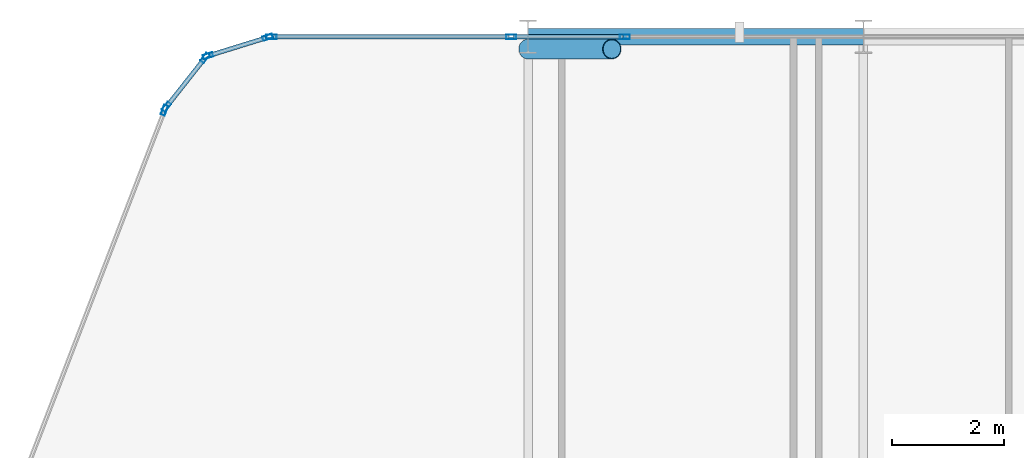
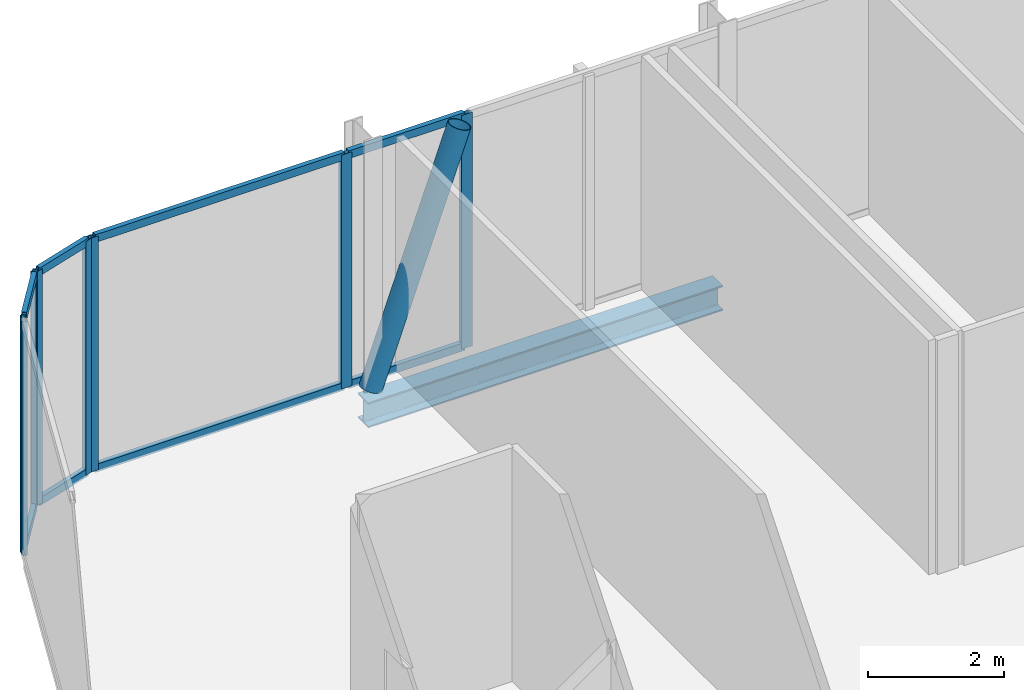
# One storey, part 14 of 30: 17 members, 1 beam, 5 elements without a shape of their own.
"""IFC4 building model written with IfcOpenShell, lengths in metres."""

from ifc_helpers import new_model, si_unit, direction, frame, origin, origin_2d, place, context, subcontext, project, spatial, hollow_rectangle, hollow_circle, i_section, extrude, material, layer, layer_set, material_profile, profile_set, type_object, element, aggregate, save


model = new_model("IFC4")

# Units and contexts
model_context = context("Model", 3, precision=1e-05, world=origin(), true_north=direction((0.0, 1.0)))
body_context = subcontext(model_context, "Body", "Model", "MODEL_VIEW")
ifc_project = project(units=[si_unit("LENGTHUNIT", "METRE"), si_unit("AREAUNIT", "SQUARE_METRE"), si_unit("VOLUMEUNIT", "CUBIC_METRE"), si_unit("PLANEANGLEUNIT", "RADIAN"), si_unit("MASSUNIT", "GRAM", prefix="KILO")], contexts=[model_context])

# Site, building, storey
site_placement = place(None, origin())
site = spatial("IfcSite", under=ifc_project, at=site_placement, CompositionType="ELEMENT")
building_placement = place(site_placement, origin())
building = spatial("IfcBuilding", under=site, at=building_placement, Name="Keshet Zoharim Tower", CompositionType="ELEMENT")
storey_placement = place(building_placement, frame((0.0, 0.0, 86.39990234375)))
storey = spatial("IfcBuildingStorey", under=building, at=storey_placement, Name="L20", CompositionType="ELEMENT", Elevation=86.39990234375)

# Beam
ifc_material_1 = material(Name="Steel S355", Category="steel")
ifc_material_profile_1 = material_profile(ifc_material_1, i_section(OverallWidth=0.300048828125, OverallDepth=0.449951171875, WebThickness=0.013916015625, FlangeThickness=0.02587890625, FilletRadius=0.027099609375, at=origin_2d()), Name="HEB450")
ifc_profile_set_1 = profile_set([ifc_material_profile_1], Name="Steel S355")
beam_type = type_object("IfcBeamType", Name="BM-WEB-HB450", PredefinedType="BEAM", material=ifc_profile_set_1)
beam_placement = place(storey_placement, frame((21.0, 53.89990234375, -0.539794921875), z_axis=(1.0, 0.0, 0.0), x_axis=(0.0, 1.0, 0.0)))
element("IfcBeam", 1, at=beam_placement, inside=storey, type_object=beam_type, Name="L20 Primary Girder X-019", PredefinedType="BEAM", context=body_context, shape_type="SweptSolid", body=[
    extrude(i_section(OverallWidth=0.300048828125, OverallDepth=0.449951171875, WebThickness=0.013916015625, FlangeThickness=0.02587890625, FilletRadius=0.027099609375, at=origin_2d()), origin(), (0.0, 0.0, 1.0), 6.0),
])

# Curtain wall, member
ifc_material_2 = material(Name="Aluminium 6063-T6", Category="aluminium")
ifc_layer = layer(ifc_material_2, 0.159912109375)
ifc_layer_set = layer_set([ifc_layer], Name="Aluminium 6063-T6")
curtain_wall_type = type_object("IfcCurtainWallType", Name="CW-SYS-03", PredefinedType="NOTDEFINED", material=ifc_layer_set)
curtain_wall_1_placement = place(storey_placement, origin())
curtain_wall_1 = element("IfcCurtainWall", 2, at=curtain_wall_1_placement, inside=storey, type_object=curtain_wall_type, Name="L20 Unitised Curtain Wall 10", PredefinedType="NOTDEFINED")
ifc_material_profile_2 = material_profile(ifc_material_2, hollow_rectangle(XDim=0.080078125, YDim=0.179931640625, WallThickness=0.00439453125, at=origin_2d()), Name="MUL-80x180")
ifc_profile_set_2 = profile_set([ifc_material_profile_2], Name="Aluminium 6063-T6")
member_type_1 = type_object("IfcMemberType", Name="CWM-M18", PredefinedType="MULLION", material=ifc_profile_set_2)
member_1_placement = place(storey_placement, frame((14.494384765625, 52.58544921875, 0.0), z_axis=(0.0, 0.0, 1.0), x_axis=(-0.933341404361, 0.358990003907, 0.0)))
member_1 = element("IfcMember", 3, at=member_1_placement, type_object=member_type_1, Name="CW-03 mullion 4", PredefinedType="MULLION", context=body_context, shape_type="SweptSolid", body=[
    extrude(hollow_rectangle(XDim=0.080078125, YDim=0.179931640625, WallThickness=0.00439453125, at=origin_2d()), origin(), (0.0, 0.0, 1.0), 4.18505859375),
])
aggregate(curtain_wall_1, [member_1])

# Curtain wall, members
curtain_wall_2_placement = place(storey_placement, origin())
curtain_wall_2 = element("IfcCurtainWall", 4, at=curtain_wall_2_placement, inside=storey, type_object=curtain_wall_type, Name="L20 Unitised Curtain Wall 11", PredefinedType="NOTDEFINED")
member_2_placement = place(storey_placement, frame((14.528564453125, 52.6455078125, 0.0), z_axis=(0.0, 0.0, 1.0), x_axis=(-0.785292825205, 0.619124525989, 0.0)))
member_2 = element("IfcMember", 5, at=member_2_placement, type_object=member_type_1, Name="CW-03 mullion 1", PredefinedType="MULLION", context=body_context, shape_type="SweptSolid", body=[
    extrude(hollow_rectangle(XDim=0.080078125, YDim=0.179931640625, WallThickness=0.00439453125, at=origin_2d()), origin(), (0.0, 0.0, 1.0), 4.18505859375),
])
member_3_placement = place(storey_placement, frame((15.21923828125, 53.521484375, 0.0), z_axis=(0.0, 0.0, 1.0), x_axis=(-0.785292825205, 0.619124525989, 0.0)))
member_3 = element("IfcMember", 6, at=member_3_placement, type_object=member_type_1, Name="CW-03 mullion 2", PredefinedType="MULLION", context=body_context, shape_type="SweptSolid", body=[
    extrude(hollow_rectangle(XDim=0.080078125, YDim=0.179931640625, WallThickness=0.00439453125, at=origin_2d()), origin(), (0.0, 0.0, 1.0), 4.18505859375),
])

curtain_wall_3_placement = place(storey_placement, origin())
curtain_wall_3 = element("IfcCurtainWall", 7, at=curtain_wall_3_placement, inside=storey, type_object=curtain_wall_type, Name="L20 Unitised Curtain Wall 12", PredefinedType="NOTDEFINED")
member_4_placement = place(storey_placement, frame((15.2744140625, 53.559326171875, 0.0), z_axis=(0.0, 0.0, 1.0), x_axis=(-0.295921857984, 0.955212151288, 0.0)))
member_4 = element("IfcMember", 8, at=member_4_placement, type_object=member_type_1, Name="CW-03 mullion 1", PredefinedType="MULLION", context=body_context, shape_type="SweptSolid", body=[
    extrude(hollow_rectangle(XDim=0.080078125, YDim=0.179931640625, WallThickness=0.00439453125, at=origin_2d()), origin(), (0.0, 0.0, 1.0), 4.18505859375),
])
member_5_placement = place(storey_placement, frame((16.340576171875, 53.8896484375, 0.0), z_axis=(0.0, 0.0, 1.0), x_axis=(-0.295921857984, 0.955212151288, 0.0)))
member_5 = element("IfcMember", 9, at=member_5_placement, type_object=member_type_1, Name="CW-03 mullion 2", PredefinedType="MULLION", context=body_context, shape_type="SweptSolid", body=[
    extrude(hollow_rectangle(XDim=0.080078125, YDim=0.179931640625, WallThickness=0.00439453125, at=origin_2d()), origin(), (0.0, 0.0, 1.0), 4.18505859375),
])

curtain_wall_4_placement = place(storey_placement, origin())
curtain_wall_4 = element("IfcCurtainWall", 10, at=curtain_wall_4_placement, inside=storey, type_object=curtain_wall_type, Name="L20 Unitised Curtain Wall 13", PredefinedType="NOTDEFINED")
member_6_placement = place(storey_placement, frame((16.408935546875, 53.89990234375, 0.0), z_axis=(0.0, 0.0, 1.0), x_axis=(0.0, 1.0, 0.0)))
member_6 = element("IfcMember", 11, at=member_6_placement, type_object=member_type_1, Name="CW-03 mullion 1", PredefinedType="MULLION", context=body_context, shape_type="SweptSolid", body=[
    extrude(hollow_rectangle(XDim=0.080078125, YDim=0.179931640625, WallThickness=0.00439453125, at=origin_2d()), origin(), (0.0, 0.0, 1.0), 4.18505859375),
])
member_7_placement = place(storey_placement, frame((20.697509765625, 53.89990234375, 0.0), z_axis=(0.0, 0.0, 1.0), x_axis=(0.0, 1.0, 0.0)))
member_7 = element("IfcMember", 12, at=member_7_placement, type_object=member_type_1, Name="CW-03 mullion 2", PredefinedType="MULLION", context=body_context, shape_type="SweptSolid", body=[
    extrude(hollow_rectangle(XDim=0.080078125, YDim=0.179931640625, WallThickness=0.00439453125, at=origin_2d()), origin(), (0.0, 0.0, 1.0), 4.18505859375),
])

# Curtain wall, member
curtain_wall_5_placement = place(storey_placement, origin())
curtain_wall_5 = element("IfcCurtainWall", 13, at=curtain_wall_5_placement, inside=storey, type_object=curtain_wall_type, Name="L20 Unitised Curtain Wall 13 Part 2", PredefinedType="NOTDEFINED")
member_8_placement = place(storey_placement, frame((22.732421875, 53.89990234375, 0.0), z_axis=(0.0, 0.0, 1.0), x_axis=(0.0, 1.0, 0.0)))
member_8 = element("IfcMember", 14, at=member_8_placement, type_object=member_type_1, Name="CW-03 mullion 2", PredefinedType="MULLION", context=body_context, shape_type="SweptSolid", body=[
    extrude(hollow_rectangle(XDim=0.080078125, YDim=0.179931640625, WallThickness=0.00439453125, at=origin_2d()), origin(), (0.0, 0.0, 1.0), 4.18505859375),
])

# Member
ifc_material_profile_3 = material_profile(ifc_material_2, hollow_rectangle(XDim=0.080078125, YDim=0.139892578125, WallThickness=0.00390625, at=origin_2d()), Name="TRN-80x140")
ifc_profile_set_3 = profile_set([ifc_material_profile_3], Name="Aluminium 6063-T6")
member_type_2 = type_object("IfcMemberType", Name="CWT-T14", PredefinedType="USERDEFINED", material=ifc_profile_set_3)
member_9_placement = place(storey_placement, frame((14.55029296875, 52.6728515625, 0.03515625), z_axis=(0.619099165969, 0.78531281837, 0.0), x_axis=(-0.78531281837, 0.619099165969, 0.0)))
member_9 = element("IfcMember", 15, at=member_9_placement, type_object=member_type_2, Name="CW-03 transom 1.1", ObjectType="TRANSOM", PredefinedType="USERDEFINED", context=body_context, shape_type="SweptSolid", body=[
    extrude(hollow_rectangle(XDim=0.080078125, YDim=0.139892578125, WallThickness=0.00390625, at=origin_2d()), origin(), (0.0, 0.0, 1.0), 1.0458984375),
])

member_10_placement = place(storey_placement, frame((14.55029296875, 52.6728515625, 4.150146484375), z_axis=(0.619099165969, 0.78531281837, 0.0), x_axis=(-0.78531281837, 0.619099165969, 0.0)))
member_10 = element("IfcMember", 16, at=member_10_placement, type_object=member_type_2, Name="CW-03 transom 1.2", ObjectType="TRANSOM", PredefinedType="USERDEFINED", context=body_context, shape_type="SweptSolid", body=[
    extrude(hollow_rectangle(XDim=0.080078125, YDim=0.139892578125, WallThickness=0.00390625, at=origin_2d()), origin(), (0.0, 0.0, 1.0), 1.0458984375),
])

aggregate(curtain_wall_2, [member_2, member_3, member_9, member_10])

member_11_placement = place(storey_placement, frame((15.307861328125, 53.56982421875, 0.03515625), z_axis=(0.955212093062, 0.295922045933, 0.0), x_axis=(-0.295922045933, 0.955212093062, 0.0)))
member_11 = element("IfcMember", 17, at=member_11_placement, type_object=member_type_2, Name="CW-03 transom 1.1", ObjectType="TRANSOM", PredefinedType="USERDEFINED", context=body_context, shape_type="SweptSolid", body=[
    extrude(hollow_rectangle(XDim=0.080078125, YDim=0.139892578125, WallThickness=0.00390625, at=origin_2d()), origin(), (0.0, 0.0, 1.0), 1.046142578125),
])

member_12_placement = place(storey_placement, frame((15.307861328125, 53.56982421875, 4.150146484375), z_axis=(0.955212093062, 0.295922045933, 0.0), x_axis=(-0.295922045933, 0.955212093062, 0.0)))
member_12 = element("IfcMember", 18, at=member_12_placement, type_object=member_type_2, Name="CW-03 transom 1.2", ObjectType="TRANSOM", PredefinedType="USERDEFINED", context=body_context, shape_type="SweptSolid", body=[
    extrude(hollow_rectangle(XDim=0.080078125, YDim=0.139892578125, WallThickness=0.00390625, at=origin_2d()), origin(), (0.0, 0.0, 1.0), 1.046142578125),
])

aggregate(curtain_wall_3, [member_4, member_5, member_11, member_12])

member_13_placement = place(storey_placement, frame((16.444091796875, 53.89990234375, 0.03515625), z_axis=(1.0, 0.0, 0.0), x_axis=(0.0, 1.0, 0.0)))
member_13 = element("IfcMember", 19, at=member_13_placement, type_object=member_type_2, Name="CW-03 transom 1.1", ObjectType="TRANSOM", PredefinedType="USERDEFINED", context=body_context, shape_type="SweptSolid", body=[
    extrude(hollow_rectangle(XDim=0.080078125, YDim=0.139892578125, WallThickness=0.00390625, at=origin_2d()), origin(), (0.0, 0.0, 1.0), 4.218505859375),
])

member_14_placement = place(storey_placement, frame((16.444091796875, 53.89990234375, 4.150146484375), z_axis=(1.0, 0.0, 0.0), x_axis=(0.0, 1.0, 0.0)))
member_14 = element("IfcMember", 20, at=member_14_placement, type_object=member_type_2, Name="CW-03 transom 1.2", ObjectType="TRANSOM", PredefinedType="USERDEFINED", context=body_context, shape_type="SweptSolid", body=[
    extrude(hollow_rectangle(XDim=0.080078125, YDim=0.139892578125, WallThickness=0.00390625, at=origin_2d()), origin(), (0.0, 0.0, 1.0), 4.218505859375),
])

aggregate(curtain_wall_4, [member_6, member_7, member_13, member_14])

member_15_placement = place(storey_placement, frame((20.732666015625, 53.89990234375, 0.03515625), z_axis=(1.0, 0.0, 0.0), x_axis=(0.0, 1.0, 0.0)))
member_15 = element("IfcMember", 21, at=member_15_placement, type_object=member_type_2, Name="CW-03 transom 1.1", ObjectType="TRANSOM", PredefinedType="USERDEFINED", context=body_context, shape_type="SweptSolid", body=[
    extrude(hollow_rectangle(XDim=0.080078125, YDim=0.139892578125, WallThickness=0.00390625, at=origin_2d()), origin(), (0.0, 0.0, 1.0), 1.96484375),
])

member_16_placement = place(storey_placement, frame((20.732666015625, 53.89990234375, 4.150146484375), z_axis=(1.0, 0.0, 0.0), x_axis=(0.0, 1.0, 0.0)))
member_16 = element("IfcMember", 22, at=member_16_placement, type_object=member_type_2, Name="CW-03 transom 1.2", ObjectType="TRANSOM", PredefinedType="USERDEFINED", context=body_context, shape_type="SweptSolid", body=[
    extrude(hollow_rectangle(XDim=0.080078125, YDim=0.139892578125, WallThickness=0.00390625, at=origin_2d()), origin(), (0.0, 0.0, 1.0), 1.96484375),
])

aggregate(curtain_wall_5, [member_8, member_15, member_16])

ifc_material_profile_4 = material_profile(ifc_material_1, hollow_circle(Radius=0.177734375, WallThickness=0.012451171875, at=origin_2d()), Name="CHS355x12.5")
ifc_profile_set_4 = profile_set([ifc_material_profile_4], Name="Steel S355")
member_type_3 = type_object("IfcMemberType", Name="MB-BR-C355", PredefinedType="BRACE", material=ifc_profile_set_4)
member_17_placement = place(storey_placement, frame((21.0, 53.679931640625, 0.0), z_axis=(0.337400697546, 0.0, 0.941361125868), x_axis=(0.0, 1.0, 0.0)))
element("IfcMember", 23, at=member_17_placement, inside=storey, type_object=member_type_3, Name="L20 Perimeter Tube Brace 02", PredefinedType="BRACE", context=body_context, shape_type="SweptSolid", body=[
    extrude(hollow_circle(Radius=0.177734375, WallThickness=0.012451171875, at=origin_2d()), origin(), (0.0, 0.0, 1.0), 4.44580078125),
])

save(model, "model.ifc")
